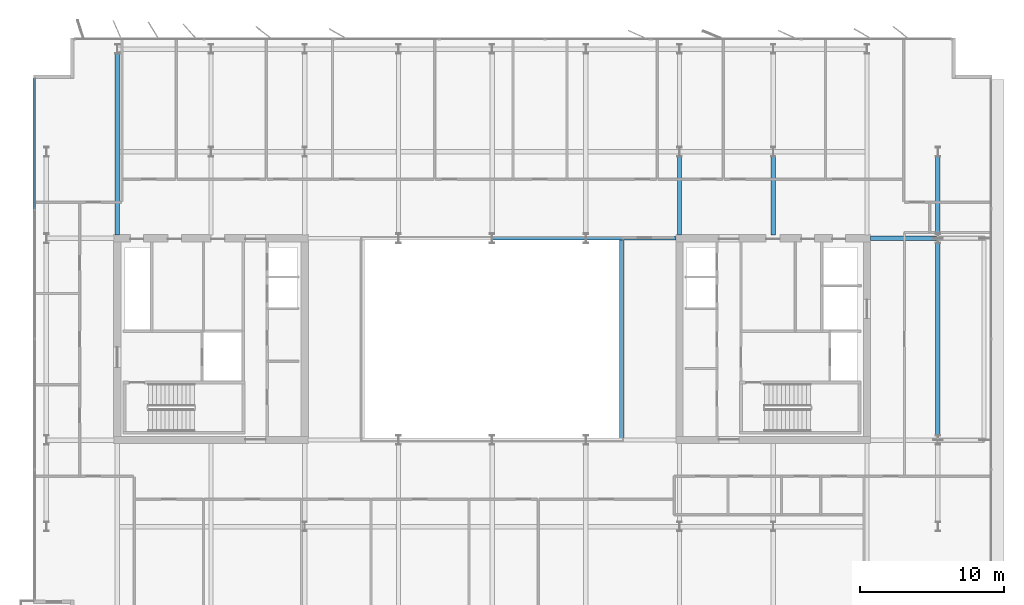
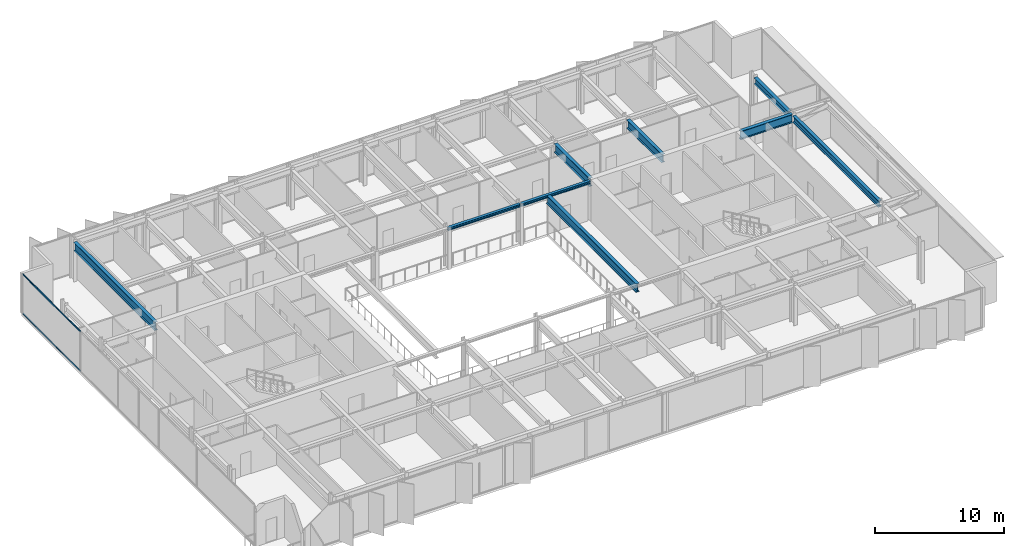
# One storey, part 7 of 20: 9 beams, 2 members, 1 element without a shape of its own.
"""IFC4 building model written with IfcOpenShell, lengths in metres."""

from ifc_helpers import new_model, si_unit, direction, frame, origin, origin_2d, place, context, subcontext, project, spatial, rectangle, i_section, extrude, material, layer, layer_set, material_profile, profile_set, type_object, element, aggregate, save


model = new_model("IFC4")

# Units and contexts
model_context = context("Model", 3, precision=1e-05, world=origin(), true_north=direction((0.0, 1.0)))
body_context = subcontext(model_context, "Body", "Model", "MODEL_VIEW")
ifc_project = project(units=[si_unit("LENGTHUNIT", "METRE"), si_unit("AREAUNIT", "SQUARE_METRE"), si_unit("VOLUMEUNIT", "CUBIC_METRE"), si_unit("PLANEANGLEUNIT", "RADIAN"), si_unit("MASSUNIT", "GRAM", prefix="KILO")], contexts=[model_context])

# Site, building, storey
site_placement = place(None, origin())
site = spatial("IfcSite", under=ifc_project, at=site_placement, CompositionType="ELEMENT")
building_placement = place(site_placement, origin())
building = spatial("IfcBuilding", under=site, at=building_placement, Name="Putna Gate Headquarters", CompositionType="ELEMENT")
storey_placement = place(building_placement, frame((0.0, 0.0, 294.39990234375)))
storey = spatial("IfcBuildingStorey", under=building, at=storey_placement, Name="L74", CompositionType="ELEMENT", Elevation=294.39990234375)

# Beams
ifc_material_1 = material(Name="Steel S355J2", Category="steel")
ifc_material_profile_1 = material_profile(ifc_material_1, i_section(OverallWidth=0.260009765625, OverallDepth=0.260009765625, WebThickness=0.010009765625, FlangeThickness=0.017578125, at=origin_2d()), Name="Steel S355J2")
ifc_profile_set_1 = profile_set([ifc_material_profile_1], Name="Steel S355J2")
beam_type_1 = type_object("IfcBeamType", Name="BM-ATRIUM-HEB260", PredefinedType="BEAM", material=ifc_profile_set_1)
beam_1_placement = place(storey_placement, frame((39.006103515625, 33.0, 3.658203125), z_axis=(1.0, 0.0, 0.0), x_axis=(0.0, 1.0, 0.0)))
element("IfcBeam", 1, at=beam_1_placement, inside=storey, type_object=beam_type_1, Name="L74 Atrium Edge Beam AN3", PredefinedType="BEAM", context=body_context, shape_type="SweptSolid", body=[
    extrude(i_section(OverallWidth=0.260009765625, OverallDepth=0.260009765625, WebThickness=0.010009765625, FlangeThickness=0.017578125, at=origin_2d()), origin(), (0.0, 0.0, 1.0), 6.48779296875),
])
beam_2_placement = place(storey_placement, frame((45.506103515625, 33.0, 3.658203125), z_axis=(1.0, 0.0, 0.0), x_axis=(0.0, 1.0, 0.0)))
element("IfcBeam", 2, at=beam_2_placement, inside=storey, type_object=beam_type_1, Name="L74 Atrium Edge Beam AN4", PredefinedType="BEAM", context=body_context, shape_type="SweptSolid", body=[
    extrude(i_section(OverallWidth=0.260009765625, OverallDepth=0.260009765625, WebThickness=0.010009765625, FlangeThickness=0.017578125, at=origin_2d()), origin(), (0.0, 0.0, 1.0), 6.2587890625),
])
ifc_material_profile_2 = material_profile(ifc_material_1, i_section(OverallWidth=0.300048828125, OverallDepth=0.800048828125, WebThickness=0.017578125, FlangeThickness=0.032958984375, at=origin_2d()), Name="Steel S355J2")
ifc_profile_set_2 = profile_set([ifc_material_profile_2], Name="Steel S355J2")
beam_type_2 = type_object("IfcBeamType", Name="BM-GIRD-P-HEB800", PredefinedType="USERDEFINED", material=ifc_profile_set_2)
beam_3_placement = place(storey_placement, frame((65.235107421875, 33.0, 3.38818359375), z_axis=(1.0, 0.0, 0.0), x_axis=(0.0, 1.0, 0.0)))
element("IfcBeam", 3, at=beam_3_placement, inside=storey, type_object=beam_type_2, Name="L74 East Wing Girder Y33", ObjectType="GIRDER", PredefinedType="USERDEFINED", context=body_context, shape_type="SweptSolid", body=[
    extrude(i_section(OverallWidth=0.300048828125, OverallDepth=0.800048828125, WebThickness=0.017578125, FlangeThickness=0.032958984375, at=origin_2d()), origin(), (0.0, 0.0, 1.0), 4.678955078125),
])
beam_4_placement = place(storey_placement, frame((13.0, 33.235107421875, 3.38818359375), z_axis=(0.0, 1.0, 0.0), x_axis=(-1.0, 0.0, 0.0)))
element("IfcBeam", 4, at=beam_4_placement, inside=storey, type_object=beam_type_2, Name="L74 North Primary Girder X13", ObjectType="GIRDER", PredefinedType="USERDEFINED", context=body_context, shape_type="SweptSolid", body=[
    extrude(i_section(OverallWidth=0.300048828125, OverallDepth=0.800048828125, WebThickness=0.017578125, FlangeThickness=0.032958984375, at=origin_2d()), origin(), (0.0, 0.0, 1.0), 12.56298828125),
])
for number, where, z_axis, x_axis, name in (
    (5, (52.0, 33.235107421875, 3.38818359375), (0.0, 1.0, 0.0), (-1.0, 0.0, 0.0), "L74 North Primary Girder X52-1"),
    (6, (58.5, 33.235107421875, 3.38818359375), (0.0, 1.0, 0.0), (-1.0, 0.0, 0.0), "L74 North Primary Girder X58-1"),
):
    element("IfcBeam", number, at=place(storey_placement, frame(where, z_axis=z_axis, x_axis=x_axis)), inside=storey, type_object=beam_type_2, Name=name, ObjectType="GIRDER", PredefinedType="USERDEFINED", context=body_context, shape_type="SweptSolid", body=[
        extrude(i_section(OverallWidth=0.300048828125, OverallDepth=0.800048828125, WebThickness=0.017578125, FlangeThickness=0.032958984375, at=origin_2d()), origin(), (0.0, 0.0, 1.0), 5.44287109375),
    ])
beam_5_placement = place(storey_placement, frame((48.0, 19.010009765625, 3.38818359375), z_axis=(0.0, 1.0, 0.0), x_axis=(-1.0, 0.0, 0.0)))
element("IfcBeam", 7, at=beam_5_placement, inside=storey, type_object=beam_type_2, Name="L74 Atrium Trim Girder AE", ObjectType="GIRDER", PredefinedType="USERDEFINED", context=body_context, shape_type="SweptSolid", body=[
    extrude(i_section(OverallWidth=0.300048828125, OverallDepth=0.800048828125, WebThickness=0.017578125, FlangeThickness=0.032958984375, at=origin_2d()), origin(), (0.0, 0.0, 1.0), 13.97998046875),
])
ifc_material_profile_3 = material_profile(ifc_material_1, i_section(OverallWidth=0.300048828125, OverallDepth=0.590087890625, WebThickness=0.012939453125, FlangeThickness=0.02490234375, at=origin_2d()), Name="Steel S355J2")
ifc_profile_set_3 = profile_set([ifc_material_profile_3], Name="Steel S355J2")
beam_type_3 = type_object("IfcBeamType", Name="BM-SPAN-Z4-HEA600", PredefinedType="SPANDREL", material=ifc_profile_set_3)
beam_6_placement = place(storey_placement, frame((69.919921875, 19.322021484375, 3.4931640625), z_axis=(0.0, 1.0, 0.0), x_axis=(-1.0, 0.0, 0.0)))
element("IfcBeam", 8, at=beam_6_placement, inside=storey, type_object=beam_type_3, Name="L74 E End Spandrel 2", PredefinedType="SPANDREL", context=body_context, shape_type="SweptSolid", body=[
    extrude(i_section(OverallWidth=0.300048828125, OverallDepth=0.590087890625, WebThickness=0.012939453125, FlangeThickness=0.02490234375, at=origin_2d()), origin(), (0.0, 0.0, 1.0), 13.35595703125),
])
beam_7_placement = place(storey_placement, frame((69.919921875, 33.322021484375, 3.4931640625), z_axis=(0.0, 1.0, 0.0), x_axis=(-1.0, 0.0, 0.0)))
element("IfcBeam", 9, at=beam_7_placement, inside=storey, type_object=beam_type_3, Name="L74 E End Spandrel 3", PredefinedType="SPANDREL", context=body_context, shape_type="SweptSolid", body=[
    extrude(i_section(OverallWidth=0.300048828125, OverallDepth=0.590087890625, WebThickness=0.012939453125, FlangeThickness=0.02490234375, at=origin_2d()), origin(), (0.0, 0.0, 1.0), 5.35595703125),
])

# Curtain wall, members
ifc_material_2 = material(Name="Anodised bronze aluminium curtain wall", Category="aluminium")
ifc_layer = layer(ifc_material_2, 0.179931640625)
ifc_layer_set = layer_set([ifc_layer], Name="Anodised bronze aluminium curtain wall")
curtain_wall_type = type_object("IfcCurtainWallType", Name="CW-SYS-Z5", PredefinedType="USERDEFINED", material=ifc_layer_set)
curtain_wall_placement = place(storey_placement, origin())
curtain_wall = element("IfcCurtainWall", 10, at=curtain_wall_placement, inside=storey, type_object=curtain_wall_type, Name="L74 West Curtain Wall", ObjectType="STICK CURTAIN WALL", PredefinedType="USERDEFINED")
ifc_material_3 = material(Name="Anodised bronze aluminium EN AW-6060", Category="aluminium")
ifc_material_profile_4 = material_profile(ifc_material_3, rectangle(XDim=0.06005859375, YDim=0.10009765625, at=origin_2d()), Name="Anodised bronze aluminium EN AW-6060")
ifc_profile_set_4 = profile_set([ifc_material_profile_4], Name="Anodised bronze aluminium EN AW-6060")
member_type = type_object("IfcMemberType", Name="TRAN-CWT-5", PredefinedType="USERDEFINED", material=ifc_profile_set_4)
member_1_placement = place(storey_placement, frame((7.280029296875, 35.0849609375, 0.030029296875), z_axis=(0.0, 1.0, 0.0), x_axis=(-1.0, 0.0, 0.0)))
member_1 = element("IfcMember", 11, at=member_1_placement, type_object=member_type, Name="CWS-5 transom 4.1", ObjectType="TRANSOM", PredefinedType="USERDEFINED", context=body_context, shape_type="SweptSolid", body=[
    extrude(rectangle(XDim=0.06005859375, YDim=0.10009765625, at=origin_2d()), origin(), (0.0, 0.0, 1.0), 8.945068359375),
])
member_2_placement = place(storey_placement, frame((7.280029296875, 35.0849609375, 3.758056640625), z_axis=(0.0, 1.0, 0.0), x_axis=(-1.0, 0.0, 0.0)))
member_2 = element("IfcMember", 12, at=member_2_placement, type_object=member_type, Name="CWS-5 transom 4.2", ObjectType="TRANSOM", PredefinedType="USERDEFINED", context=body_context, shape_type="SweptSolid", body=[
    extrude(rectangle(XDim=0.06005859375, YDim=0.10009765625, at=origin_2d()), origin(), (0.0, 0.0, 1.0), 8.945068359375),
])
aggregate(curtain_wall, [member_1, member_2])

save(model, "model.ifc")
